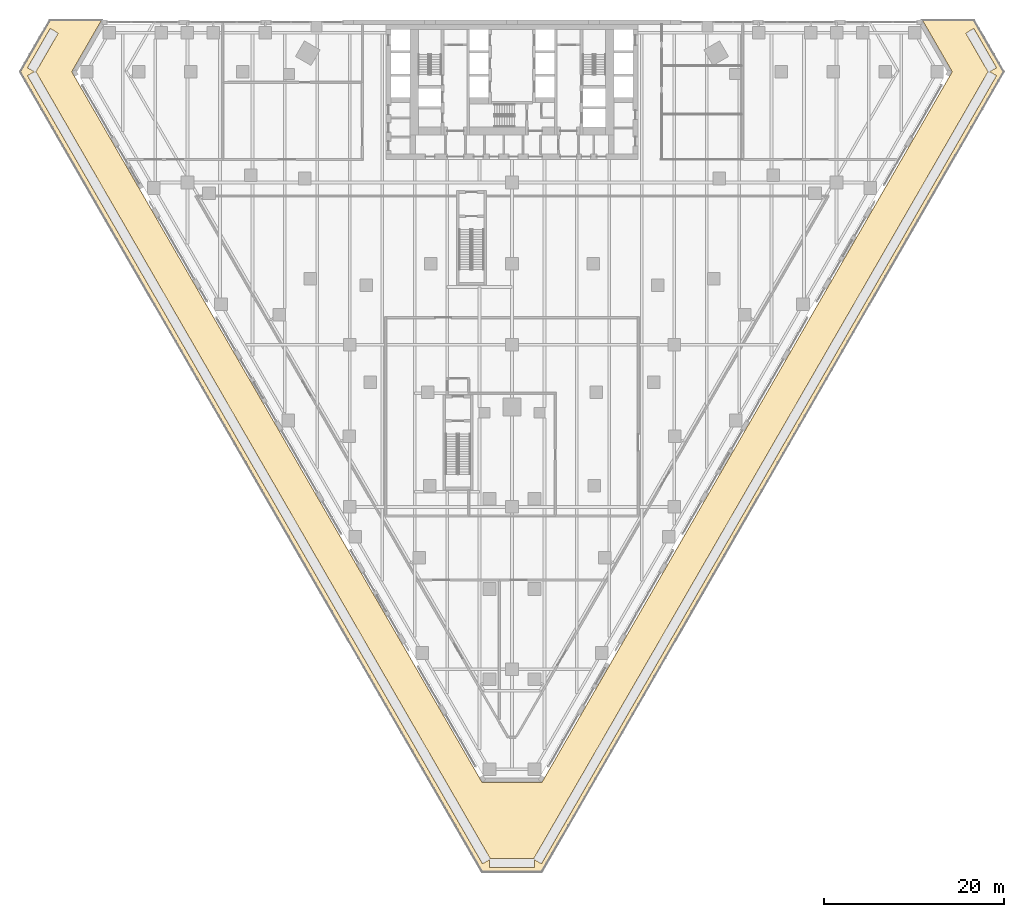
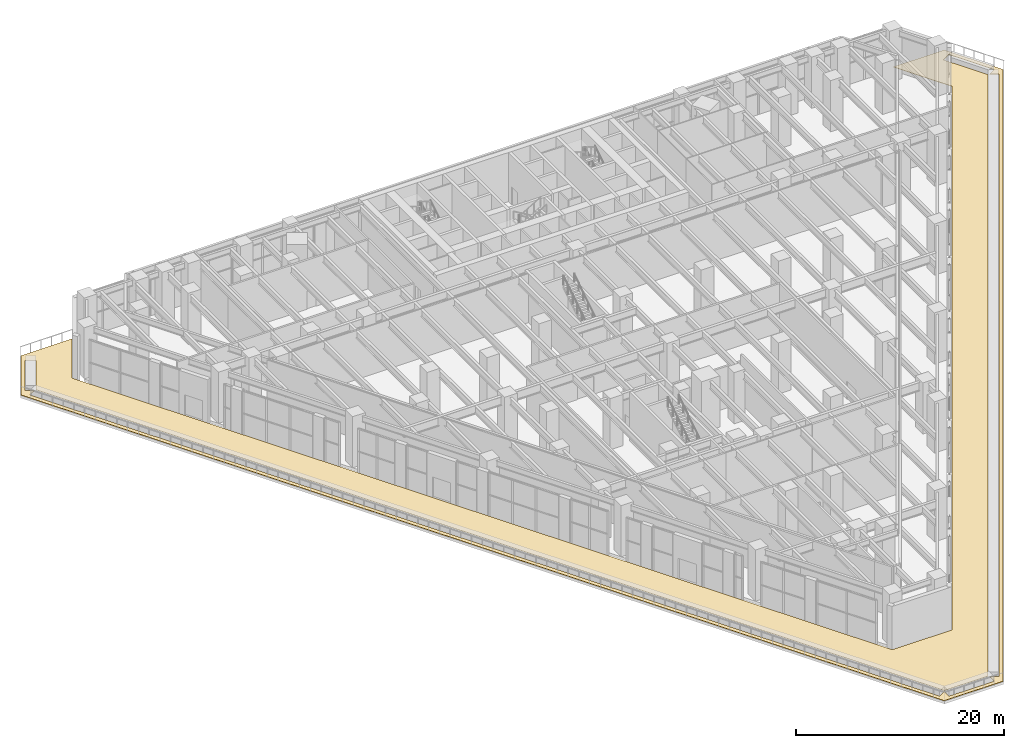
# One storey, part 37 of 40: 1 covering.
"""IFC4 building model written with IfcOpenShell, lengths in metres."""

import ifcopenshell
import ifcopenshell.guid

model = None  # the IFC model being written
_history = None  # IfcOwnerHistory: only IFC2X3 demands one
_inside = {}  # id of a spatial element -> (the spatial element, [elements in it])
_under = {}  # id of a project, library or spatial element -> (it, [spatial elements below it])
_declared = {}  # id of a project -> (the project, [libraries it declares])
_typed = {}  # id of a type object -> (the type object, [elements of that type])
_made_of = {}  # id of a material, layer set ... -> (it, [elements and type objects made of it])


def new_model(schema):
    """Start an empty IFC model of exactly this schema.

    Asked for "IFC4X3", IfcOpenShell would pick the latest addendum, in which some entities
    have other attributes; the version numbers below select the first issue.
    IFC2X3 requires an IfcOwnerHistory on every rooted entity: one is made here for all.
    """
    global model, _history
    if schema == "IFC4X3":
        model = ifcopenshell.file(schema_version=(4, 3, 0, 0))
    else:
        model = ifcopenshell.file(schema=schema)
    _inside.clear()
    _under.clear()
    _declared.clear()
    _typed.clear()
    _made_of.clear()
    _history = None
    if model.schema == "IFC2X3":
        org = make("IfcOrganization", Name="unknown")
        user = make(
            "IfcPersonAndOrganization",
            ThePerson=make("IfcPerson", FamilyName="unknown"),
            TheOrganization=org,
        )
        app = make(
            "IfcApplication",
            ApplicationDeveloper=org,
            Version="unknown",
            ApplicationFullName="unknown",
            ApplicationIdentifier="unknown",
        )
        _history = make(
            "IfcOwnerHistory",
            OwningUser=user,
            OwningApplication=app,
            ChangeAction="ADDED",
            CreationDate=0,
        )
    return model


def make(cls, **values):
    """One entity of the class cls with the attributes given. An attribute that is None is left unset."""
    return model.create_entity(
        cls, **{name: value for name, value in values.items() if value is not None}
    )


def rooted(cls, **values):
    """An entity with a GlobalId (a new one), such as an element, a storey or a relation."""
    return make(cls, GlobalId=ifcopenshell.guid.new(), OwnerHistory=_history, **values)


def si_unit(unit_type, name, prefix=None):
    """IfcSIUnit, for example si_unit("LENGTHUNIT", "METRE", prefix="MILLI")."""
    return make("IfcSIUnit", UnitType=unit_type, Prefix=prefix, Name=name)


def assignment(units):
    """IfcUnitAssignment: the units of a project."""
    return None if units is None else make("IfcUnitAssignment", Units=units)


def point(xyz):
    """IfcCartesianPoint."""
    return None if xyz is None else make("IfcCartesianPoint", Coordinates=xyz)


def direction(xyz):
    """IfcDirection."""
    return None if xyz is None else make("IfcDirection", DirectionRatios=xyz)


def frame(location, z_axis=None, x_axis=None):
    """IfcAxis2Placement3D, a coordinate frame: its origin and axes. An axis left out is left unset."""
    return make(
        "IfcAxis2Placement3D",
        Location=point(location),
        Axis=direction(z_axis),
        RefDirection=direction(x_axis),
    )


def origin():
    """The frame at (0, 0, 0) with its axes left unset."""
    return frame((0.0, 0.0, 0.0))


def place(relative_to, where):
    """IfcLocalPlacement: puts the frame where relative to a parent placement (None: the world)."""
    return make(
        "IfcLocalPlacement", PlacementRelTo=relative_to, RelativePlacement=where
    )


def context(
    kind, dimensions, precision=None, world=None, true_north=None, identifier=None
):
    """IfcGeometricRepresentationContext, for example the 3D "Model" context."""
    return make(
        "IfcGeometricRepresentationContext",
        ContextIdentifier=identifier,
        ContextType=kind,
        CoordinateSpaceDimension=dimensions,
        Precision=precision,
        WorldCoordinateSystem=world,
        TrueNorth=true_north,
    )


def subcontext(parent, identifier, kind, view, scale=None):
    """IfcGeometricRepresentationSubContext, for example "Body" below "Model"."""
    return make(
        "IfcGeometricRepresentationSubContext",
        ContextIdentifier=identifier,
        ContextType=kind,
        ParentContext=parent,
        TargetScale=scale,
        TargetView=view,
    )


def project(units=None, contexts=None):
    """IfcProject with its units and contexts."""
    return rooted(
        "IfcProject",
        Name="project",
        RepresentationContexts=contexts,
        UnitsInContext=assignment(units),
    )


def spatial(cls, under=None, at=None, **own):
    """A site, building, storey or space (cls), placed at a placement, below another one or the project."""
    s = rooted(cls, ObjectPlacement=at, **own)
    if under is not None:
        _under.setdefault(under.id(), (under, []))[1].append(s)
    return s


def polyline(points):
    """IfcPolyline through the points."""
    return make("IfcPolyline", Points=[point(p) for p in points])


def outline(outer, holes=None, kind="AREA"):
    """IfcArbitraryClosedProfileDef: a profile drawn as a closed curve; with holes, ...WithVoids."""
    if holes is None:
        return make("IfcArbitraryClosedProfileDef", ProfileType=kind, OuterCurve=outer)
    return make(
        "IfcArbitraryProfileDefWithVoids",
        ProfileType=kind,
        OuterCurve=outer,
        InnerCurves=holes,
    )


def extrude(swept, where, along, depth):
    """IfcExtrudedAreaSolid: the profile swept, set in the frame where, extruded along a direction by depth."""
    return make(
        "IfcExtrudedAreaSolid",
        SweptArea=swept,
        Position=where,
        ExtrudedDirection=direction(along),
        Depth=depth,
    )


def shape(context_of_items, identifier, shape_type, items):
    """IfcShapeRepresentation: the items that make up one representation, for example the "Body"."""
    return make(
        "IfcShapeRepresentation",
        ContextOfItems=context_of_items,
        RepresentationIdentifier=identifier,
        RepresentationType=shape_type,
        Items=items,
    )


def material(Name=None, Category=None):
    """IfcMaterial."""
    return make("IfcMaterial", Name=Name, Category=Category)


def layer(
    of_material, thickness, ventilated=None, Name=None, Category=None, Priority=None
):
    """IfcMaterialLayer: one layer of a wall or slab, of a material (None: an air gap)."""
    return make(
        "IfcMaterialLayer",
        Material=of_material,
        LayerThickness=thickness,
        IsVentilated=ventilated,
        Name=Name,
        Category=Category,
        Priority=Priority,
    )


def layer_set(layers, Name=None):
    """IfcMaterialLayerSet."""
    return make("IfcMaterialLayerSet", MaterialLayers=layers, LayerSetName=Name)


def made_of(thing, what):
    """Note that an element or type object is made of a material, layer set ...; save() writes the relation."""
    if what is not None:
        _made_of.setdefault(what.id(), (what, []))[1].append(thing)
    return thing


def type_object(cls, material=None, **own):
    """A type object (cls), such as IfcWallType, which elements share."""
    return made_of(rooted(cls, **own), material)


def element(
    cls,
    number,
    at=None,
    inside=None,
    cuts=None,
    type_object=None,
    material=None,
    context=None,
    identifier="Body",
    shape_type=None,
    held_by="IfcProductDefinitionShape",
    body=None,
    shapes=None,
    **own,
):
    """One element of the class cls, such as IfcWall. Its Tag is "e" and its number.

    at: its placement. inside: the storey or other place that contains it. cuts: it is an
    opening in that element (IfcRelVoidsElement). A single representation is given by context,
    identifier, shape_type and body (its items); several are given by shapes. held_by: the class
    of the entity that holds the representations. save() writes the other relations.
    """
    e = rooted(cls, Tag="e%d" % number, ObjectPlacement=at, **own)
    if body is not None:
        shapes = [shape(context, identifier, shape_type, body)]
    if shapes is not None:
        e.Representation = make(held_by, Representations=shapes)
    if inside is not None:
        _inside.setdefault(inside.id(), (inside, []))[1].append(e)
    if cuts is not None:
        rooted(
            "IfcRelVoidsElement", RelatingBuildingElement=cuts, RelatedOpeningElement=e
        )
    if type_object is not None:
        _typed.setdefault(type_object.id(), (type_object, []))[1].append(e)
    return made_of(e, material)


def aggregate(whole, parts):
    """IfcRelAggregates: a whole, such as a stair, and the parts it consists of."""
    return rooted("IfcRelAggregates", RelatingObject=whole, RelatedObjects=parts)


def save(model, path):
    """Write the relations noted so far, then the file.

    IfcRelAggregates (storeys below a building ...), IfcRelContainedInSpatialStructure (elements
    in a storey), IfcRelDefinesByType, IfcRelAssociatesMaterial and IfcRelDeclares: one each for
    every whole, place, type object, material and project.
    """
    for whole, parts in _under.values():
        aggregate(whole, parts)
    for where, things in _inside.values():
        rooted(
            "IfcRelContainedInSpatialStructure",
            RelatedElements=things,
            RelatingStructure=where,
        )
    for kind, things in _typed.values():
        rooted("IfcRelDefinesByType", RelatedObjects=things, RelatingType=kind)
    for what, things in _made_of.values():
        rooted("IfcRelAssociatesMaterial", RelatedObjects=things, RelatingMaterial=what)
    for by, libraries in _declared.values():
        rooted("IfcRelDeclares", RelatingContext=by, RelatedDefinitions=libraries)
    model.write(path)


model = new_model("IFC4")

# Units and contexts
model_context = context("Model", 3, precision=1e-05, world=origin(), true_north=direction((0.0, 1.0)))
body_context = subcontext(model_context, "Body", "Model", "MODEL_VIEW")
ifc_project = project(units=[si_unit("LENGTHUNIT", "METRE"), si_unit("AREAUNIT", "SQUARE_METRE"), si_unit("VOLUMEUNIT", "CUBIC_METRE"), si_unit("PLANEANGLEUNIT", "RADIAN"), si_unit("MASSUNIT", "GRAM", prefix="KILO")], contexts=[model_context])

# Site, building, storey
site_placement = place(None, origin())
site = spatial("IfcSite", under=ifc_project, at=site_placement, CompositionType="ELEMENT")
building_placement = place(site_placement, origin())
building = spatial("IfcBuilding", under=site, at=building_placement, Name="Aloe Facet Convention Tower", CompositionType="ELEMENT")
storey_placement = place(building_placement, frame((0.0, 0.0, 13.5)))
storey = spatial("IfcBuildingStorey", under=building, at=storey_placement, Name="L02", CompositionType="ELEMENT", Elevation=13.5)

# Covering
ifc_material = material(Name="Granite paving, bedded", Category="masonry")
ifc_layer = layer(ifc_material, 0.0400390625)
ifc_layer_set = layer_set([ifc_layer], Name="EV-PAVING")
covering_type = type_object("IfcCoveringType", Name="EV-PAVING", PredefinedType="FLOORING", material=ifc_layer_set)
covering_placement = place(storey_placement, origin())
element("IfcCovering", 1, at=covering_placement, inside=storey, type_object=covering_type, Name="PAVING PT-L02-1-1", PredefinedType="FLOORING", context=body_context, shape_type="SweptSolid", body=[
    extrude(outline(polyline([(134.509765625, 129.2841796875), (83.271240234375, 40.536376953125), (76.728759765625, 40.536376953125), (25.490234375, 129.2841796875), (28.761474609375, 134.949951171875), (34.41943359375, 134.949951171875), (31.16259765625, 129.309326171875), (31.160400390625, 129.304931640625), (31.15869140625, 129.300537109375), (31.157470703125, 129.2958984375), (31.156494140625, 129.291259765625), (31.156005859375, 129.28662109375), (31.156005859375, 129.28173828125), (31.156494140625, 129.277099609375), (31.157470703125, 129.2724609375), (31.15869140625, 129.267822265625), (31.160400390625, 129.263427734375), (31.16259765625, 129.25927734375), (76.65673828125, 50.461181640625), (76.6591796875, 50.457275390625), (76.662109375, 50.45361328125), (76.66552734375, 50.4501953125), (76.669189453125, 50.447021484375), (76.6728515625, 50.4443359375), (76.677001953125, 50.44189453125), (76.681396484375, 50.43994140625), (76.68603515625, 50.438232421875), (76.6904296875, 50.437255859375), (76.6953125, 50.4365234375), (76.699951171875, 50.436279296875), (83.300048828125, 50.436279296875), (83.3046875, 50.4365234375), (83.3095703125, 50.437255859375), (83.31396484375, 50.438232421875), (83.318603515625, 50.43994140625), (83.322998046875, 50.44189453125), (83.3271484375, 50.4443359375), (83.330810546875, 50.447021484375), (83.33447265625, 50.4501953125), (83.337890625, 50.45361328125), (83.3408203125, 50.457275390625), (83.34326171875, 50.461181640625), (128.83740234375, 129.25927734375), (128.839599609375, 129.263427734375), (128.84130859375, 129.267822265625), (128.842529296875, 129.2724609375), (128.843505859375, 129.277099609375), (128.843994140625, 129.28173828125), (128.843994140625, 129.28662109375), (128.843505859375, 129.291259765625), (128.842529296875, 129.2958984375), (128.84130859375, 129.300537109375), (128.839599609375, 129.304931640625), (128.83740234375, 129.309326171875), (125.58056640625, 134.949951171875), (131.238525390625, 134.949951171875), (134.509765625, 129.2841796875)]), holes=[polyline([(77.47998046875, 41.83740234375), (77.47998046875, 40.986328125), (77.47998046875, 40.984375), (77.48046875, 40.982421875), (77.48095703125, 40.98046875), (77.4814453125, 40.978759765625), (77.482421875, 40.976806640625), (77.4833984375, 40.97509765625), (77.484619140625, 40.9736328125), (77.48583984375, 40.97216796875), (77.4873046875, 40.970947265625), (77.48876953125, 40.9697265625), (77.490478515625, 40.96875), (77.492431640625, 40.9677734375), (77.494140625, 40.967041015625), (77.49609375, 40.966796875), (77.498046875, 40.96630859375), (77.5, 40.96630859375), (82.5, 40.96630859375), (82.501953125, 40.96630859375), (82.50390625, 40.966796875), (82.505859375, 40.967041015625), (82.507568359375, 40.9677734375), (82.509521484375, 40.96875), (82.51123046875, 40.9697265625), (82.5126953125, 40.970947265625), (82.51416015625, 40.97216796875), (82.515380859375, 40.9736328125), (82.5166015625, 40.97509765625), (82.517578125, 40.976806640625), (82.5185546875, 40.978759765625), (82.51904296875, 40.98046875), (82.51953125, 40.982421875), (82.52001953125, 40.984375), (82.52001953125, 40.986328125), (82.52001953125, 41.83740234375), (83.257080078125, 41.411865234375), (83.2587890625, 41.410888671875), (83.260498046875, 41.41015625), (83.262451171875, 41.40966796875), (83.264404296875, 41.4091796875), (83.266357421875, 41.4091796875), (83.268310546875, 41.4091796875), (83.270263671875, 41.409423828125), (83.272216796875, 41.409912109375), (83.27392578125, 41.410400390625), (83.27587890625, 41.4111328125), (83.277587890625, 41.412109375), (83.279052734375, 41.413330078125), (83.28076171875, 41.41455078125), (83.281982421875, 41.416015625), (83.283203125, 41.41748046875), (83.284423828125, 41.419189453125), (133.751708984375, 128.831298828125), (133.752685546875, 128.833251953125), (133.75341796875, 128.8349609375), (133.75390625, 128.8369140625), (133.75439453125, 128.8388671875), (133.75439453125, 128.8408203125), (133.75439453125, 128.8427734375), (133.754150390625, 128.8447265625), (133.75390625, 128.8466796875), (133.753173828125, 128.848388671875), (133.75244140625, 128.850341796875), (133.75146484375, 128.85205078125), (133.75048828125, 128.853515625), (133.7490234375, 128.85498046875), (133.747802734375, 128.8564453125), (133.74609375, 128.857666015625), (133.744384765625, 128.858642578125), (133.007568359375, 129.2841796875), (133.744384765625, 129.709716796875), (133.74609375, 129.710693359375), (133.747802734375, 129.7119140625), (133.7490234375, 129.71337890625), (133.75048828125, 129.71484375), (133.75146484375, 129.716552734375), (133.75244140625, 129.71826171875), (133.753173828125, 129.719970703125), (133.75390625, 129.721923828125), (133.754150390625, 129.723876953125), (133.75439453125, 129.725830078125), (133.75439453125, 129.727783203125), (133.75439453125, 129.729736328125), (133.75390625, 129.731689453125), (133.75341796875, 129.7333984375), (133.752685546875, 129.7353515625), (133.751708984375, 129.737060546875), (131.251708984375, 134.067138671875), (131.250732421875, 134.06884765625), (131.24951171875, 134.0703125), (131.248291015625, 134.07177734375), (131.24658203125, 134.072998046875), (131.2451171875, 134.07421875), (131.243408203125, 134.0751953125), (131.241455078125, 134.075927734375), (131.23974609375, 134.076416015625), (131.23779296875, 134.076904296875), (131.23583984375, 134.0771484375), (131.23388671875, 134.0771484375), (131.23193359375, 134.076904296875), (131.22998046875, 134.07666015625), (131.22802734375, 134.076171875), (131.226318359375, 134.075439453125), (131.224609375, 134.074462890625), (130.3583984375, 133.574462890625), (130.35693359375, 133.573486328125), (130.355224609375, 133.572265625), (130.353759765625, 133.57080078125), (130.3525390625, 133.5693359375), (130.3515625, 133.567626953125), (130.3505859375, 133.56591796875), (130.349853515625, 133.564208984375), (130.34912109375, 133.562255859375), (130.3486328125, 133.560546875), (130.3486328125, 133.55859375), (130.348388671875, 133.556640625), (130.3486328125, 133.5546875), (130.348876953125, 133.552734375), (130.349609375, 133.55078125), (130.350341796875, 133.548828125), (130.35107421875, 133.547119140625), (132.812255859375, 129.2841796875), (82.42236328125, 42.00634765625), (77.57763671875, 42.00634765625), (27.187744140625, 129.2841796875), (29.64892578125, 133.547119140625), (29.649658203125, 133.548828125), (29.650390625, 133.55078125), (29.651123046875, 133.552734375), (29.6513671875, 133.5546875), (29.651611328125, 133.556640625), (29.6513671875, 133.55859375), (29.6513671875, 133.560546875), (29.65087890625, 133.562255859375), (29.650146484375, 133.564208984375), (29.6494140625, 133.56591796875), (29.6484375, 133.567626953125), (29.6474609375, 133.5693359375), (29.646240234375, 133.57080078125), (29.644775390625, 133.572265625), (29.64306640625, 133.573486328125), (29.6416015625, 133.574462890625), (28.775390625, 134.074462890625), (28.773681640625, 134.075439453125), (28.77197265625, 134.076171875), (28.77001953125, 134.07666015625), (28.76806640625, 134.076904296875), (28.76611328125, 134.0771484375), (28.76416015625, 134.0771484375), (28.76220703125, 134.076904296875), (28.76025390625, 134.076416015625), (28.758544921875, 134.075927734375), (28.756591796875, 134.0751953125), (28.7548828125, 134.07421875), (28.75341796875, 134.072998046875), (28.751708984375, 134.07177734375), (28.75048828125, 134.0703125), (28.749267578125, 134.06884765625), (28.748291015625, 134.067138671875), (26.248291015625, 129.737060546875), (26.247314453125, 129.7353515625), (26.24658203125, 129.7333984375), (26.24609375, 129.731689453125), (26.24560546875, 129.729736328125), (26.24560546875, 129.727783203125), (26.24560546875, 129.725830078125), (26.245849609375, 129.723876953125), (26.24609375, 129.721923828125), (26.246826171875, 129.719970703125), (26.24755859375, 129.71826171875), (26.24853515625, 129.716552734375), (26.24951171875, 129.71484375), (26.2509765625, 129.71337890625), (26.252197265625, 129.7119140625), (26.25390625, 129.710693359375), (26.255615234375, 129.709716796875), (26.992431640625, 129.2841796875), (26.255615234375, 128.858642578125), (26.25390625, 128.857666015625), (26.252197265625, 128.8564453125), (26.2509765625, 128.85498046875), (26.24951171875, 128.853515625), (26.24853515625, 128.85205078125), (26.24755859375, 128.850341796875), (26.246826171875, 128.848388671875), (26.24609375, 128.8466796875), (26.245849609375, 128.8447265625), (26.24560546875, 128.8427734375), (26.24560546875, 128.8408203125), (26.24560546875, 128.8388671875), (26.24609375, 128.8369140625), (26.24658203125, 128.8349609375), (26.247314453125, 128.833251953125), (26.248291015625, 128.831298828125), (76.715576171875, 41.419189453125), (76.716796875, 41.41748046875), (76.718017578125, 41.416015625), (76.71923828125, 41.41455078125), (76.720947265625, 41.413330078125), (76.722412109375, 41.412109375), (76.72412109375, 41.4111328125), (76.72607421875, 41.410400390625), (76.727783203125, 41.409912109375), (76.729736328125, 41.409423828125), (76.731689453125, 41.4091796875), (76.733642578125, 41.4091796875), (76.735595703125, 41.4091796875), (76.737548828125, 41.40966796875), (76.739501953125, 41.41015625), (76.7412109375, 41.410888671875), (76.742919921875, 41.411865234375), (77.47998046875, 41.83740234375)])]), origin(), (0.0, 0.0, 1.0), 0.0400390625),
])

save(model, "model.ifc")
